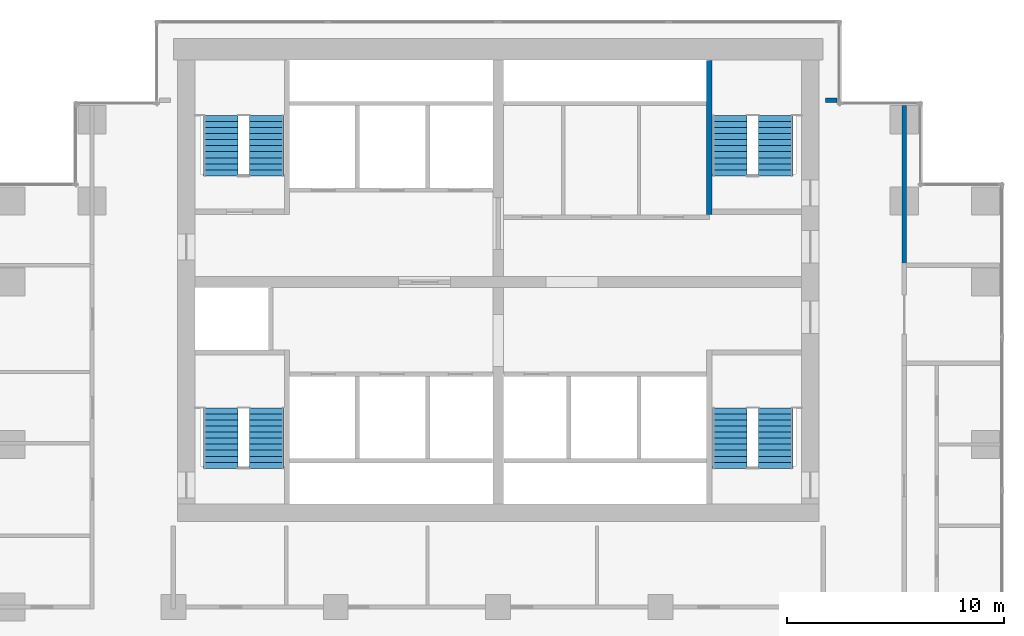
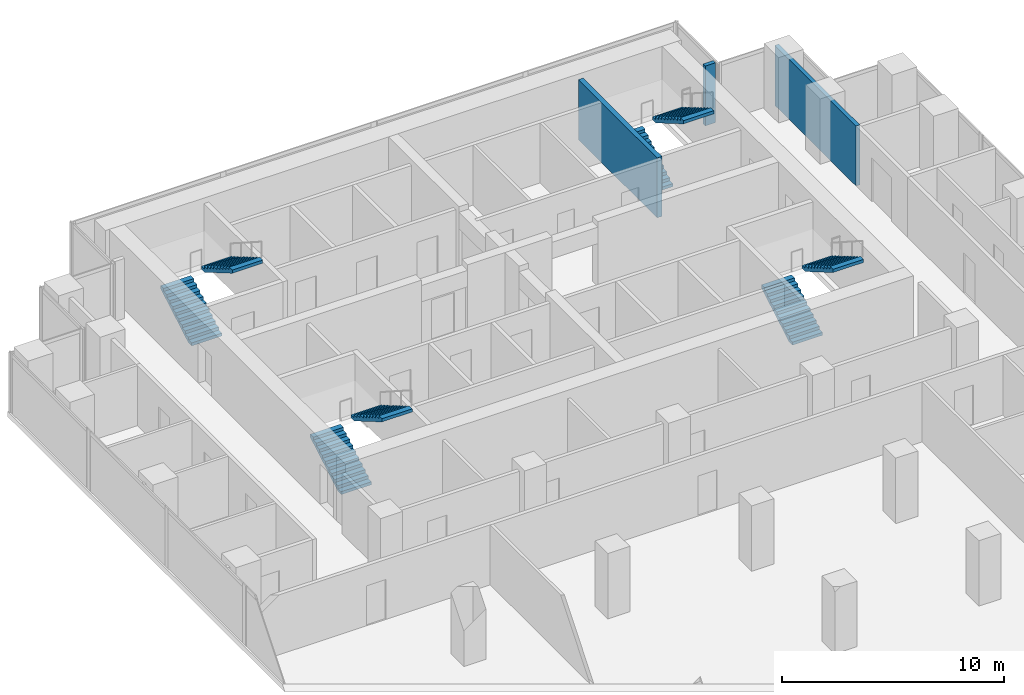
# One storey, part 9 of 10: 8 stair flights, 3 walls, 4 elements without a shape of their own.
"""IFC4 building model written with IfcOpenShell, lengths in metres."""

from ifc_helpers import new_model, si_unit, direction, frame, frame_2d, origin, place, context, subcontext, project, spatial, polyline, rectangle, outline, extrude, material, layer, layer_set, type_object, element, aggregate, save


model = new_model("IFC4")

# Units and contexts
model_context = context("Model", 3, precision=1e-05, world=origin(), true_north=direction((0.0, 1.0)))
body_context = subcontext(model_context, "Body", "Model", "MODEL_VIEW")
ifc_project = project(units=[si_unit("LENGTHUNIT", "METRE"), si_unit("AREAUNIT", "SQUARE_METRE"), si_unit("VOLUMEUNIT", "CUBIC_METRE"), si_unit("PLANEANGLEUNIT", "RADIAN"), si_unit("MASSUNIT", "GRAM", prefix="KILO")], contexts=[model_context])

# Site, building, storey
site_placement = place(None, origin())
site = spatial("IfcSite", under=ifc_project, at=site_placement, CompositionType="ELEMENT")
building_placement = place(site_placement, origin())
building = spatial("IfcBuilding", under=site, at=building_placement, Name="Pilkhan Gate Tower", CompositionType="ELEMENT")
storey_placement = place(building_placement, frame((0.0, 0.0, 110.800048828125)))
storey = spatial("IfcBuildingStorey", under=building, at=storey_placement, Name="L27", CompositionType="ELEMENT", Elevation=110.800048828125)

# Walls
ifc_material_1 = material(Name="Dense blockwork", Category="masonry")
ifc_layer_1 = layer(ifc_material_1, 0.199951171875)
ifc_layer_set_1 = layer_set([ifc_layer_1], Name="Corridor wall FW200")
wall_type_1 = type_object("IfcWallType", Name="Corridor wall FW200", PredefinedType="PARTITIONING", material=ifc_layer_set_1)
wall_1_placement = place(storey_placement, frame((90.1201171875, 90.89990234375, 0.0), z_axis=(0.0, 0.0, 1.0), x_axis=(1.0, 0.0, 0.0)))
element("IfcWall", 1, at=wall_1_placement, inside=storey, type_object=wall_type_1, Name="Partition L27", PredefinedType="PARTITIONING", context=body_context, shape_type="SweptSolid", body=[
    extrude(rectangle(XDim=0.52490234375, YDim=0.199951171875, at=frame_2d((0.262451171875, 0.0))), origin(), (0.0, 0.0, 1.0), 3.300048828125),
])
wall_2_placement = place(storey_placement, frame((93.75, 83.31005859375, 0.0), z_axis=(0.0, 0.0, 1.0), x_axis=(0.0, 1.0, 0.0)))
element("IfcWall", 2, at=wall_2_placement, inside=storey, type_object=wall_type_1, Name="Partition L27", PredefinedType="PARTITIONING", context=body_context, shape_type="SweptSolid", body=[
    extrude(rectangle(XDim=7.3349609375, YDim=0.199951171875, at=frame_2d((3.66748046875, 0.0))), origin(), (0.0, 0.0, 1.0), 3.300048828125),
])
ifc_material_2 = material(Name="Reinforced blockwork, 120 minute fire resisting", Category="masonry")
ifc_layer_2 = layer(ifc_material_2, 0.25)
ifc_layer_set_2 = layer_set([ifc_layer_2], Name="Stair enclosure wall SE250")
wall_type_2 = type_object("IfcWallType", Name="Stair enclosure wall SE250", PredefinedType="PARTITIONING", material=ifc_layer_set_2)
wall_3_placement = place(storey_placement, frame((84.75, 85.625, 0.0), z_axis=(0.0, 0.0, 1.0), x_axis=(0.0, 1.0, 0.0)))
element("IfcWall", 3, at=wall_3_placement, inside=storey, type_object=wall_type_2, Name="Partition L27", PredefinedType="PARTITIONING", context=body_context, shape_type="SweptSolid", body=[
    extrude(rectangle(XDim=7.114990234375, YDim=0.25, at=frame_2d((3.5576171875, 0.0))), origin(), (0.0, 0.0, 1.0), 3.300048828125),
])

# Stair, stair flights
ifc_material_3 = material(Name="Concrete C40/50 precast", Category="concrete")
stair_type_1 = type_object("IfcStairType", Name="Stair ST1 164x280", PredefinedType="HALF_TURN_STAIR", material=ifc_material_3)
stair_1_placement = place(storey_placement, origin())
stair_1 = element("IfcStair", 4, at=stair_1_placement, inside=storey, type_object=stair_type_1, Name="Stair ST1 L27", PredefinedType="HALF_TURN_STAIR")
stair_flight_type_1 = type_object("IfcStairFlightType", Name="Stair flight ST1 164x280x11", PredefinedType="STRAIGHT", material=ifc_material_3)
stair_flight_1_placement = place(storey_placement, frame((85.68994140625, 73.89990234375, 0.0), z_axis=(0.0, 0.0, 1.0), x_axis=(0.0, 1.0, 0.0)))
stair_flight_1 = element("IfcStairFlight", 5, at=stair_flight_1_placement, type_object=stair_flight_type_1, Name="ST1 flight 1", NumberOfRisers=11, NumberOfTreads=10, PredefinedType="STRAIGHT", RiserHeight=0.163636364, TreadLength=0.28, context=body_context, shape_type="SweptSolid", body=[
    extrude(outline(polyline([(0.0, 0.0), (0.0, 0.16357421875), (0.280029296875, 0.16357421875), (0.280029296875, 0.327392578125), (0.56005859375, 0.327392578125), (0.56005859375, 0.490966796875), (0.840087890625, 0.490966796875), (0.840087890625, 0.654541015625), (1.1201171875, 0.654541015625), (1.1201171875, 0.818115234375), (1.39990234375, 0.818115234375), (1.39990234375, 0.98193359375), (1.679931640625, 0.98193359375), (1.679931640625, 1.1455078125), (1.9599609375, 1.1455078125), (1.9599609375, 1.30908203125), (2.239990234375, 1.30908203125), (2.239990234375, 1.47265625), (2.52001953125, 1.47265625), (2.52001953125, 1.636474609375), (2.800048828125, 1.636474609375), (2.800048828125, 1.800048828125), (2.800048828125, 1.462646484375), (0.297119140625, 0.0), (0.0, 0.0)])), frame((0.0, 0.7900390625, 0.0), z_axis=(0.0, -1.0, 0.0), x_axis=(1.0, 0.0, 0.0)), (0.0, 0.0, 1.0), 1.580078125),
])
stair_flight_2_placement = place(storey_placement, frame((87.81005859375, 76.699951171875, 1.800048828125), z_axis=(0.0, 0.0, 1.0), x_axis=(0.0, -1.0, 0.0)))
stair_flight_2 = element("IfcStairFlight", 6, at=stair_flight_2_placement, type_object=stair_flight_type_1, Name="ST1 flight 2", NumberOfRisers=11, NumberOfTreads=10, PredefinedType="STRAIGHT", RiserHeight=0.163636364, TreadLength=0.28, context=body_context, shape_type="SweptSolid", body=[
    extrude(outline(polyline([(0.0, 0.0), (0.0, 0.16357421875), (0.280029296875, 0.16357421875), (0.280029296875, 0.327392578125), (0.56005859375, 0.327392578125), (0.56005859375, 0.490966796875), (0.840087890625, 0.490966796875), (0.840087890625, 0.654541015625), (1.1201171875, 0.654541015625), (1.1201171875, 0.818115234375), (1.39990234375, 0.818115234375), (1.39990234375, 0.98193359375), (1.679931640625, 0.98193359375), (1.679931640625, 1.1455078125), (1.9599609375, 1.1455078125), (1.9599609375, 1.30908203125), (2.239990234375, 1.30908203125), (2.239990234375, 1.47265625), (2.52001953125, 1.47265625), (2.52001953125, 1.636474609375), (2.800048828125, 1.636474609375), (2.800048828125, 1.800048828125), (2.800048828125, 1.462646484375), (0.297119140625, 0.0), (0.0, 0.0)])), frame((0.0, 0.7900390625, 0.0), z_axis=(0.0, -1.0, 0.0), x_axis=(1.0, 0.0, 0.0)), (0.0, 0.0, 1.0), 1.580078125),
])
aggregate(stair_1, [stair_flight_1, stair_flight_2])

stair_type_2 = type_object("IfcStairType", Name="Stair ST2 164x280", PredefinedType="HALF_TURN_STAIR", material=ifc_material_3)
stair_2_placement = place(storey_placement, origin())
stair_2 = element("IfcStair", 7, at=stair_2_placement, inside=storey, type_object=stair_type_2, Name="Stair ST2 L27", PredefinedType="HALF_TURN_STAIR")
stair_flight_type_2 = type_object("IfcStairFlightType", Name="Stair flight ST2 164x280x11", PredefinedType="STRAIGHT", material=ifc_material_3)
stair_flight_3_placement = place(storey_placement, frame((62.18994140625, 73.89990234375, 0.0), z_axis=(0.0, 0.0, 1.0), x_axis=(0.0, 1.0, 0.0)))
stair_flight_3 = element("IfcStairFlight", 8, at=stair_flight_3_placement, type_object=stair_flight_type_2, Name="ST2 flight 1", NumberOfRisers=11, NumberOfTreads=10, PredefinedType="STRAIGHT", RiserHeight=0.163636364, TreadLength=0.28, context=body_context, shape_type="SweptSolid", body=[
    extrude(outline(polyline([(0.0, 0.0), (0.0, 0.16357421875), (0.280029296875, 0.16357421875), (0.280029296875, 0.327392578125), (0.56005859375, 0.327392578125), (0.56005859375, 0.490966796875), (0.840087890625, 0.490966796875), (0.840087890625, 0.654541015625), (1.1201171875, 0.654541015625), (1.1201171875, 0.818115234375), (1.39990234375, 0.818115234375), (1.39990234375, 0.98193359375), (1.679931640625, 0.98193359375), (1.679931640625, 1.1455078125), (1.9599609375, 1.1455078125), (1.9599609375, 1.30908203125), (2.239990234375, 1.30908203125), (2.239990234375, 1.47265625), (2.52001953125, 1.47265625), (2.52001953125, 1.636474609375), (2.800048828125, 1.636474609375), (2.800048828125, 1.800048828125), (2.800048828125, 1.462646484375), (0.297119140625, 0.0), (0.0, 0.0)])), frame((0.0, 0.7900390625, 0.0), z_axis=(0.0, -1.0, 0.0), x_axis=(1.0, 0.0, 0.0)), (0.0, 0.0, 1.0), 1.580078125),
])
stair_flight_4_placement = place(storey_placement, frame((64.31005859375, 76.699951171875, 1.800048828125), z_axis=(0.0, 0.0, 1.0), x_axis=(0.0, -1.0, 0.0)))
stair_flight_4 = element("IfcStairFlight", 9, at=stair_flight_4_placement, type_object=stair_flight_type_2, Name="ST2 flight 2", NumberOfRisers=11, NumberOfTreads=10, PredefinedType="STRAIGHT", RiserHeight=0.163636364, TreadLength=0.28, context=body_context, shape_type="SweptSolid", body=[
    extrude(outline(polyline([(0.0, 0.0), (0.0, 0.16357421875), (0.280029296875, 0.16357421875), (0.280029296875, 0.327392578125), (0.56005859375, 0.327392578125), (0.56005859375, 0.490966796875), (0.840087890625, 0.490966796875), (0.840087890625, 0.654541015625), (1.1201171875, 0.654541015625), (1.1201171875, 0.818115234375), (1.39990234375, 0.818115234375), (1.39990234375, 0.98193359375), (1.679931640625, 0.98193359375), (1.679931640625, 1.1455078125), (1.9599609375, 1.1455078125), (1.9599609375, 1.30908203125), (2.239990234375, 1.30908203125), (2.239990234375, 1.47265625), (2.52001953125, 1.47265625), (2.52001953125, 1.636474609375), (2.800048828125, 1.636474609375), (2.800048828125, 1.800048828125), (2.800048828125, 1.462646484375), (0.297119140625, 0.0), (0.0, 0.0)])), frame((0.0, 0.7900390625, 0.0), z_axis=(0.0, -1.0, 0.0), x_axis=(1.0, 0.0, 0.0)), (0.0, 0.0, 1.0), 1.580078125),
])
aggregate(stair_2, [stair_flight_3, stair_flight_4])

stair_type_3 = type_object("IfcStairType", Name="Stair ST3 164x280", PredefinedType="HALF_TURN_STAIR", material=ifc_material_3)
stair_3_placement = place(storey_placement, origin())
stair_3 = element("IfcStair", 10, at=stair_3_placement, inside=storey, type_object=stair_type_3, Name="Stair ST3 L27", PredefinedType="HALF_TURN_STAIR")
stair_flight_type_3 = type_object("IfcStairFlightType", Name="Stair flight ST3 164x280x11", PredefinedType="STRAIGHT", material=ifc_material_3)
stair_flight_5_placement = place(storey_placement, frame((62.18994140625, 87.39990234375, 0.0), z_axis=(0.0, 0.0, 1.0), x_axis=(0.0, 1.0, 0.0)))
stair_flight_5 = element("IfcStairFlight", 11, at=stair_flight_5_placement, type_object=stair_flight_type_3, Name="ST3 flight 1", NumberOfRisers=11, NumberOfTreads=10, PredefinedType="STRAIGHT", RiserHeight=0.163636364, TreadLength=0.28, context=body_context, shape_type="SweptSolid", body=[
    extrude(outline(polyline([(0.0, 0.0), (0.0, 0.16357421875), (0.280029296875, 0.16357421875), (0.280029296875, 0.327392578125), (0.56005859375, 0.327392578125), (0.56005859375, 0.490966796875), (0.840087890625, 0.490966796875), (0.840087890625, 0.654541015625), (1.1201171875, 0.654541015625), (1.1201171875, 0.818115234375), (1.39990234375, 0.818115234375), (1.39990234375, 0.98193359375), (1.679931640625, 0.98193359375), (1.679931640625, 1.1455078125), (1.9599609375, 1.1455078125), (1.9599609375, 1.30908203125), (2.239990234375, 1.30908203125), (2.239990234375, 1.47265625), (2.52001953125, 1.47265625), (2.52001953125, 1.636474609375), (2.800048828125, 1.636474609375), (2.800048828125, 1.800048828125), (2.800048828125, 1.462646484375), (0.297119140625, 0.0), (0.0, 0.0)])), frame((0.0, 0.7900390625, 0.0), z_axis=(0.0, -1.0, 0.0), x_axis=(1.0, 0.0, 0.0)), (0.0, 0.0, 1.0), 1.580078125),
])
stair_flight_6_placement = place(storey_placement, frame((64.31005859375, 90.199951171875, 1.800048828125), z_axis=(0.0, 0.0, 1.0), x_axis=(0.0, -1.0, 0.0)))
stair_flight_6 = element("IfcStairFlight", 12, at=stair_flight_6_placement, type_object=stair_flight_type_3, Name="ST3 flight 2", NumberOfRisers=11, NumberOfTreads=10, PredefinedType="STRAIGHT", RiserHeight=0.163636364, TreadLength=0.28, context=body_context, shape_type="SweptSolid", body=[
    extrude(outline(polyline([(0.0, 0.0), (0.0, 0.16357421875), (0.280029296875, 0.16357421875), (0.280029296875, 0.327392578125), (0.56005859375, 0.327392578125), (0.56005859375, 0.490966796875), (0.840087890625, 0.490966796875), (0.840087890625, 0.654541015625), (1.1201171875, 0.654541015625), (1.1201171875, 0.818115234375), (1.39990234375, 0.818115234375), (1.39990234375, 0.98193359375), (1.679931640625, 0.98193359375), (1.679931640625, 1.1455078125), (1.9599609375, 1.1455078125), (1.9599609375, 1.30908203125), (2.239990234375, 1.30908203125), (2.239990234375, 1.47265625), (2.52001953125, 1.47265625), (2.52001953125, 1.636474609375), (2.800048828125, 1.636474609375), (2.800048828125, 1.800048828125), (2.800048828125, 1.462646484375), (0.297119140625, 0.0), (0.0, 0.0)])), frame((0.0, 0.7900390625, 0.0), z_axis=(0.0, -1.0, 0.0), x_axis=(1.0, 0.0, 0.0)), (0.0, 0.0, 1.0), 1.580078125),
])
aggregate(stair_3, [stair_flight_5, stair_flight_6])

stair_type_4 = type_object("IfcStairType", Name="Stair ST4 164x280", PredefinedType="HALF_TURN_STAIR", material=ifc_material_3)
stair_4_placement = place(storey_placement, origin())
stair_4 = element("IfcStair", 13, at=stair_4_placement, inside=storey, type_object=stair_type_4, Name="Stair ST4 L27", PredefinedType="HALF_TURN_STAIR")
stair_flight_type_4 = type_object("IfcStairFlightType", Name="Stair flight ST4 164x280x11", PredefinedType="STRAIGHT", material=ifc_material_3)
stair_flight_7_placement = place(storey_placement, frame((85.68994140625, 87.39990234375, 0.0), z_axis=(0.0, 0.0, 1.0), x_axis=(0.0, 1.0, 0.0)))
stair_flight_7 = element("IfcStairFlight", 14, at=stair_flight_7_placement, type_object=stair_flight_type_4, Name="ST4 flight 1", NumberOfRisers=11, NumberOfTreads=10, PredefinedType="STRAIGHT", RiserHeight=0.163636364, TreadLength=0.28, context=body_context, shape_type="SweptSolid", body=[
    extrude(outline(polyline([(0.0, 0.0), (0.0, 0.16357421875), (0.280029296875, 0.16357421875), (0.280029296875, 0.327392578125), (0.56005859375, 0.327392578125), (0.56005859375, 0.490966796875), (0.840087890625, 0.490966796875), (0.840087890625, 0.654541015625), (1.1201171875, 0.654541015625), (1.1201171875, 0.818115234375), (1.39990234375, 0.818115234375), (1.39990234375, 0.98193359375), (1.679931640625, 0.98193359375), (1.679931640625, 1.1455078125), (1.9599609375, 1.1455078125), (1.9599609375, 1.30908203125), (2.239990234375, 1.30908203125), (2.239990234375, 1.47265625), (2.52001953125, 1.47265625), (2.52001953125, 1.636474609375), (2.800048828125, 1.636474609375), (2.800048828125, 1.800048828125), (2.800048828125, 1.462646484375), (0.297119140625, 0.0), (0.0, 0.0)])), frame((0.0, 0.7900390625, 0.0), z_axis=(0.0, -1.0, 0.0), x_axis=(1.0, 0.0, 0.0)), (0.0, 0.0, 1.0), 1.580078125),
])
stair_flight_8_placement = place(storey_placement, frame((87.81005859375, 90.199951171875, 1.800048828125), z_axis=(0.0, 0.0, 1.0), x_axis=(0.0, -1.0, 0.0)))
stair_flight_8 = element("IfcStairFlight", 15, at=stair_flight_8_placement, type_object=stair_flight_type_4, Name="ST4 flight 2", NumberOfRisers=11, NumberOfTreads=10, PredefinedType="STRAIGHT", RiserHeight=0.163636364, TreadLength=0.28, context=body_context, shape_type="SweptSolid", body=[
    extrude(outline(polyline([(0.0, 0.0), (0.0, 0.16357421875), (0.280029296875, 0.16357421875), (0.280029296875, 0.327392578125), (0.56005859375, 0.327392578125), (0.56005859375, 0.490966796875), (0.840087890625, 0.490966796875), (0.840087890625, 0.654541015625), (1.1201171875, 0.654541015625), (1.1201171875, 0.818115234375), (1.39990234375, 0.818115234375), (1.39990234375, 0.98193359375), (1.679931640625, 0.98193359375), (1.679931640625, 1.1455078125), (1.9599609375, 1.1455078125), (1.9599609375, 1.30908203125), (2.239990234375, 1.30908203125), (2.239990234375, 1.47265625), (2.52001953125, 1.47265625), (2.52001953125, 1.636474609375), (2.800048828125, 1.636474609375), (2.800048828125, 1.800048828125), (2.800048828125, 1.462646484375), (0.297119140625, 0.0), (0.0, 0.0)])), frame((0.0, 0.7900390625, 0.0), z_axis=(0.0, -1.0, 0.0), x_axis=(1.0, 0.0, 0.0)), (0.0, 0.0, 1.0), 1.580078125),
])
aggregate(stair_4, [stair_flight_7, stair_flight_8])

save(model, "model.ifc")
